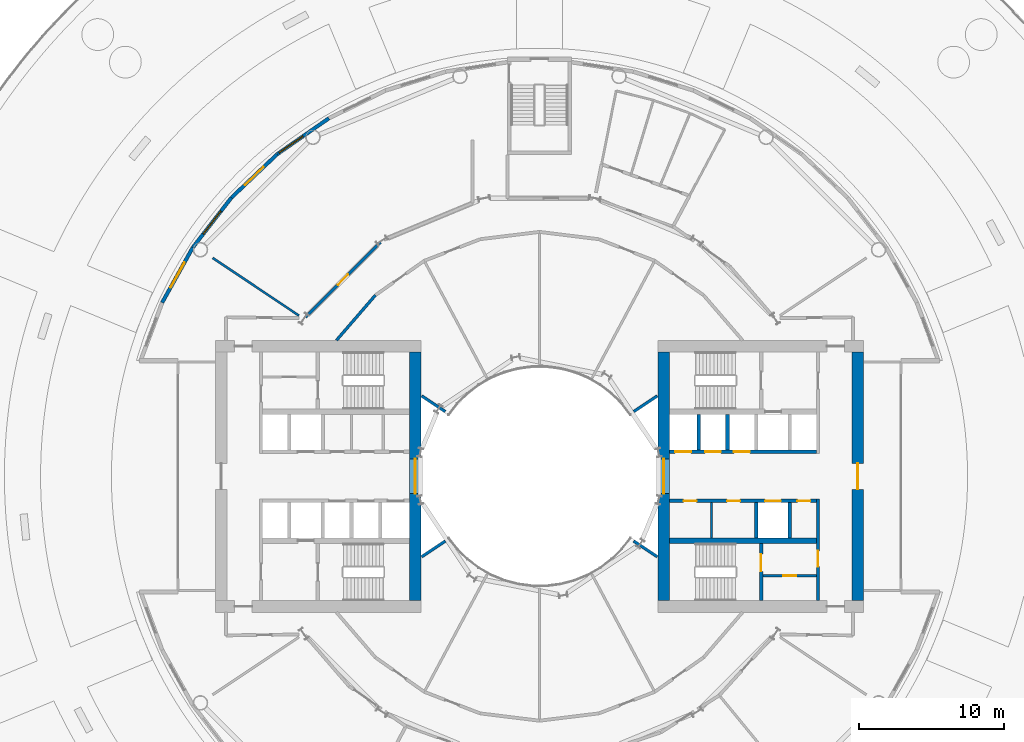
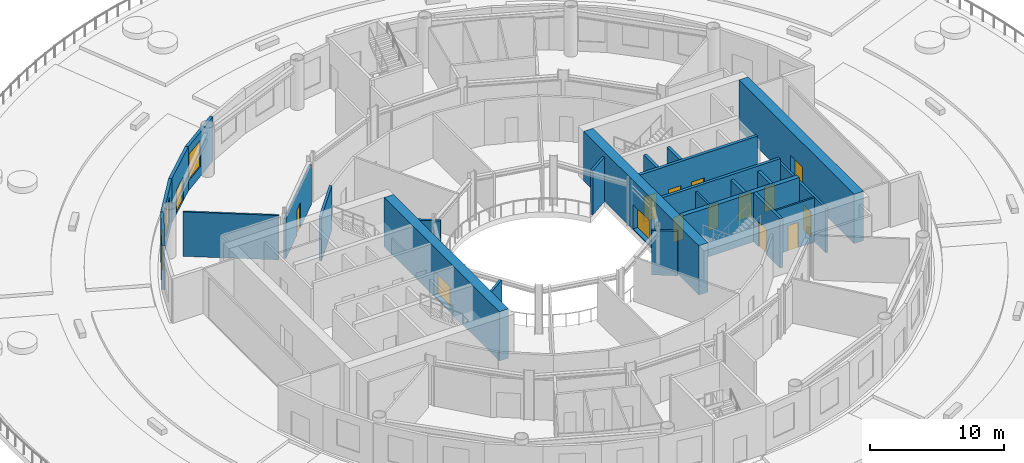
# One storey, part 13 of 19: 25 walls, 13 doors, 5 windows, 18 openings.
"""IFC4 building model written with IfcOpenShell, lengths in metres."""

from ifc_helpers import new_model, si_unit, direction, frame, frame_2d, origin, place, context, subcontext, project, spatial, rectangle, extrude, material, layer, layer_set, type_object, element, fill, save


model = new_model("IFC4")

# Units and contexts
model_context = context("Model", 3, precision=1e-05, world=origin(), true_north=direction((0.0, 1.0)))
body_context = subcontext(model_context, "Body", "Model", "MODEL_VIEW")
ifc_project = project(units=[si_unit("LENGTHUNIT", "METRE"), si_unit("AREAUNIT", "SQUARE_METRE"), si_unit("VOLUMEUNIT", "CUBIC_METRE"), si_unit("PLANEANGLEUNIT", "RADIAN"), si_unit("MASSUNIT", "GRAM", prefix="KILO")], contexts=[model_context])

# Site, building, storey
site_placement = place(None, origin())
site = spatial("IfcSite", under=ifc_project, at=site_placement, CompositionType="ELEMENT")
building_placement = place(site_placement, origin())
building = spatial("IfcBuilding", under=site, at=building_placement, Name="Maasbend Ring Residences", CompositionType="ELEMENT")
storey_placement = place(building_placement, frame((0.0, 0.0, 9.60009765625)))
storey = spatial("IfcBuildingStorey", under=building, at=storey_placement, Name="L02", CompositionType="ELEMENT", Elevation=9.60009765625)

# Wall, openings, doors
ifc_material_1 = material(Name="Concrete C70/85", Category="concrete")
ifc_layer_1 = layer(ifc_material_1, 0.25)
ifc_layer_set_1 = layer_set([ifc_layer_1], Name="Concrete C70/85")
wall_type_1 = type_object("IfcWallType", Name="CORE WALL 250 C70/85", PredefinedType="SHEAR", material=ifc_layer_set_1)
wall_1_placement = place(storey_placement, frame((9.0, 1.699951171875, 0.0), z_axis=(0.0, 0.0, 1.0), x_axis=(1.0, 0.0, 0.0)))
wall_1 = element("IfcWall", 1, at=wall_1_placement, inside=storey, type_object=wall_type_1, Name="L02 core E wall SPN", PredefinedType="SHEAR", context=body_context, shape_type="SweptSolid", body=[
    extrude(rectangle(XDim=10.14990234375, YDim=0.25, at=frame_2d((5.074951171875, 0.0))), origin(), (0.0, 0.0, 1.0), 4.5),
])
opening_1_placement = place(wall_1_placement, frame((0.387451171875, 0.0, 0.0)))
opening_1 = element("IfcOpeningElement", 2, at=opening_1_placement, cuts=wall_1, Name="Opening LD-E0201", PredefinedType="OPENING", context=body_context, shape_type="SweptSolid", body=[
    extrude(rectangle(XDim=1.10009765625, YDim=2.300048828125, at=frame_2d((0.550048828125, 1.14990234375))), frame((0.0, 0.135009765625, 0.0), z_axis=(0.0, -1.0, 0.0), x_axis=(1.0, 0.0, 0.0)), (0.0, 0.0, 1.0), 0.27001953125),
])
opening_2_placement = place(wall_1_placement, frame((2.449951171875, 0.0, 0.0)))
opening_2 = element("IfcOpeningElement", 3, at=opening_2_placement, cuts=wall_1, Name="Opening LD-E0202", PredefinedType="OPENING", context=body_context, shape_type="SweptSolid", body=[
    extrude(rectangle(XDim=1.10009765625, YDim=2.300048828125, at=frame_2d((0.550048828125, 1.14990234375))), frame((0.0, 0.135009765625, 0.0), z_axis=(0.0, -1.0, 0.0), x_axis=(1.0, 0.0, 0.0)), (0.0, 0.0, 1.0), 0.27001953125),
])
opening_3_placement = place(wall_1_placement, frame((4.449951171875, 0.0, 0.0)))
opening_3 = element("IfcOpeningElement", 4, at=opening_3_placement, cuts=wall_1, Name="Opening LD-E0203", PredefinedType="OPENING", context=body_context, shape_type="SweptSolid", body=[
    extrude(rectangle(XDim=1.10009765625, YDim=2.300048828125, at=frame_2d((0.550048828125, 1.14990234375))), frame((0.0, 0.135009765625, 0.0), z_axis=(0.0, -1.0, 0.0), x_axis=(1.0, 0.0, 0.0)), (0.0, 0.0, 1.0), 0.27001953125),
])
ifc_material_2 = material(Name="Stainless steel 316", Category="steel")
door_type_1 = type_object("IfcDoorType", Name="LANDING DOOR 1100 X 2300 FD60", OperationType="DOUBLE_DOOR_SLIDING", PredefinedType="DOOR", material=ifc_material_2)
door_1_placement = place(opening_1_placement, origin())
door_1 = element("IfcDoor", 5, at=door_1_placement, inside=storey, type_object=door_type_1, Name="Landing door LR-E1 L02", OperationType="DOUBLE_DOOR_SLIDING", OverallHeight=2.300048828125, OverallWidth=1.10009765625, PredefinedType="DOOR", context=body_context, shape_type="SweptSolid", body=[
    extrude(rectangle(XDim=1.10009765625, YDim=2.300048828125, at=frame_2d((0.550048828125, 1.14990234375))), frame((0.0, 0.02490234375, 0.0), z_axis=(0.0, -1.0, 0.0), x_axis=(1.0, 0.0, 0.0)), (0.0, 0.0, 1.0), 0.050048828125),
])
fill(opening_1, door_1)
door_2_placement = place(opening_2_placement, origin())
door_2 = element("IfcDoor", 6, at=door_2_placement, inside=storey, type_object=door_type_1, Name="Landing door LR-E2 L02", OperationType="DOUBLE_DOOR_SLIDING", OverallHeight=2.300048828125, OverallWidth=1.10009765625, PredefinedType="DOOR", context=body_context, shape_type="SweptSolid", body=[
    extrude(rectangle(XDim=1.10009765625, YDim=2.300048828125, at=frame_2d((0.550048828125, 1.14990234375))), frame((0.0, 0.02490234375, 0.0), z_axis=(0.0, -1.0, 0.0), x_axis=(1.0, 0.0, 0.0)), (0.0, 0.0, 1.0), 0.050048828125),
])
fill(opening_2, door_2)
door_3_placement = place(opening_3_placement, origin())
door_3 = element("IfcDoor", 7, at=door_3_placement, inside=storey, type_object=door_type_1, Name="Landing door LR-E3 L02", OperationType="DOUBLE_DOOR_SLIDING", OverallHeight=2.300048828125, OverallWidth=1.10009765625, PredefinedType="DOOR", context=body_context, shape_type="SweptSolid", body=[
    extrude(rectangle(XDim=1.10009765625, YDim=2.300048828125, at=frame_2d((0.550048828125, 1.14990234375))), frame((0.0, 0.02490234375, 0.0), z_axis=(0.0, -1.0, 0.0), x_axis=(1.0, 0.0, 0.0)), (0.0, 0.0, 1.0), 0.050048828125),
])
fill(opening_3, door_3)

wall_2_placement = place(storey_placement, frame((19.14990234375, -1.699951171875, 0.0), z_axis=(0.0, 0.0, 1.0), x_axis=(-1.0, 0.0, 0.0)))
wall_2 = element("IfcWall", 8, at=wall_2_placement, inside=storey, type_object=wall_type_1, Name="L02 core E wall SPS", PredefinedType="SHEAR", context=body_context, shape_type="SweptSolid", body=[
    extrude(rectangle(XDim=10.14990234375, YDim=0.25, at=frame_2d((5.074951171875, 0.0))), origin(), (0.0, 0.0, 1.0), 4.5),
])
opening_4_placement = place(wall_2_placement, frame((2.449951171875, 0.0, 0.0)))
opening_4 = element("IfcOpeningElement", 9, at=opening_4_placement, cuts=wall_2, Name="Opening LD-E0205", PredefinedType="OPENING", context=body_context, shape_type="SweptSolid", body=[
    extrude(rectangle(XDim=1.10009765625, YDim=2.300048828125, at=frame_2d((0.550048828125, 1.14990234375))), frame((0.0, 0.135009765625, 0.0), z_axis=(0.0, -1.0, 0.0), x_axis=(1.0, 0.0, 0.0)), (0.0, 0.0, 1.0), 0.27001953125),
])
opening_5_placement = place(wall_2_placement, frame((8.28759765625, 0.0, 0.0)))
opening_5 = element("IfcOpeningElement", 10, at=opening_5_placement, cuts=wall_2, Name="Opening D-E0206", PredefinedType="OPENING", context=body_context, shape_type="SweptSolid", body=[
    extrude(rectangle(XDim=0.89990234375, YDim=2.300048828125, at=frame_2d((0.449951171875, 1.14990234375))), frame((0.0, 0.135009765625, 0.0), z_axis=(0.0, -1.0, 0.0), x_axis=(1.0, 0.0, 0.0)), (0.0, 0.0, 1.0), 0.27001953125),
])
opening_6_placement = place(wall_2_placement, frame((5.27490234375, 0.0, 0.0)))
opening_6 = element("IfcOpeningElement", 11, at=opening_6_placement, cuts=wall_2, Name="Opening D-E0207", PredefinedType="OPENING", context=body_context, shape_type="SweptSolid", body=[
    extrude(rectangle(XDim=0.89990234375, YDim=2.300048828125, at=frame_2d((0.449951171875, 1.14990234375))), frame((0.0, 0.135009765625, 0.0), z_axis=(0.0, -1.0, 0.0), x_axis=(1.0, 0.0, 0.0)), (0.0, 0.0, 1.0), 0.27001953125),
])
opening_7_placement = place(wall_2_placement, frame((0.41259765625, 0.0, 0.0)))
opening_7 = element("IfcOpeningElement", 12, at=opening_7_placement, cuts=wall_2, Name="Opening D-E0208", PredefinedType="OPENING", context=body_context, shape_type="SweptSolid", body=[
    extrude(rectangle(XDim=0.89990234375, YDim=2.300048828125, at=frame_2d((0.449951171875, 1.14990234375))), frame((0.0, 0.135009765625, 0.0), z_axis=(0.0, -1.0, 0.0), x_axis=(1.0, 0.0, 0.0)), (0.0, 0.0, 1.0), 0.27001953125),
])
door_4_placement = place(opening_4_placement, origin())
door_4 = element("IfcDoor", 13, at=door_4_placement, inside=storey, type_object=door_type_1, Name="Landing door SV-E L02", OperationType="DOUBLE_DOOR_SLIDING", OverallHeight=2.300048828125, OverallWidth=1.10009765625, PredefinedType="DOOR", context=body_context, shape_type="SweptSolid", body=[
    extrude(rectangle(XDim=1.10009765625, YDim=2.300048828125, at=frame_2d((0.550048828125, 1.14990234375))), frame((0.0, 0.02490234375, 0.0), z_axis=(0.0, -1.0, 0.0), x_axis=(1.0, 0.0, 0.0)), (0.0, 0.0, 1.0), 0.050048828125),
])
fill(opening_4, door_4)
ifc_material_3 = material(Name="Steel, powder coated", Category="steel")
door_type_2 = type_object("IfcDoorType", Name="ROOM DOOR 900 X 2300 FD30S", OperationType="NOTDEFINED", PredefinedType="DOOR", material=ifc_material_3)
door_5_placement = place(opening_5_placement, origin())
door_5 = element("IfcDoor", 14, at=door_5_placement, inside=storey, type_object=door_type_2, Name="Room door L02", OperationType="SINGLE_SWING_LEFT", OverallHeight=2.300048828125, OverallWidth=0.89990234375, PredefinedType="DOOR", context=body_context, shape_type="SweptSolid", body=[
    extrude(rectangle(XDim=0.89990234375, YDim=2.300048828125, at=frame_2d((0.449951171875, 1.14990234375))), frame((0.0, 0.02490234375, 0.0), z_axis=(0.0, -1.0, 0.0), x_axis=(1.0, 0.0, 0.0)), (0.0, 0.0, 1.0), 0.050048828125),
])
fill(opening_5, door_5)
door_6_placement = place(opening_6_placement, origin())
door_6 = element("IfcDoor", 15, at=door_6_placement, inside=storey, type_object=door_type_2, Name="Room door L02", OperationType="SINGLE_SWING_LEFT", OverallHeight=2.300048828125, OverallWidth=0.89990234375, PredefinedType="DOOR", context=body_context, shape_type="SweptSolid", body=[
    extrude(rectangle(XDim=0.89990234375, YDim=2.300048828125, at=frame_2d((0.449951171875, 1.14990234375))), frame((0.0, 0.02490234375, 0.0), z_axis=(0.0, -1.0, 0.0), x_axis=(1.0, 0.0, 0.0)), (0.0, 0.0, 1.0), 0.050048828125),
])
fill(opening_6, door_6)
door_7_placement = place(opening_7_placement, origin())
door_7 = element("IfcDoor", 16, at=door_7_placement, inside=storey, type_object=door_type_2, Name="Room door L02", OperationType="SINGLE_SWING_RIGHT", OverallHeight=2.300048828125, OverallWidth=0.89990234375, PredefinedType="DOOR", context=body_context, shape_type="SweptSolid", body=[
    extrude(rectangle(XDim=0.89990234375, YDim=2.300048828125, at=frame_2d((0.449951171875, 1.14990234375))), frame((0.0, 0.02490234375, 0.0), z_axis=(0.0, -1.0, 0.0), x_axis=(1.0, 0.0, 0.0)), (0.0, 0.0, 1.0), 0.050048828125),
])
fill(opening_7, door_7)

# Wall, opening, door
wall_3_placement = place(storey_placement, frame((15.324951171875, -8.60009765625, 0.0), z_axis=(0.0, 0.0, 1.0), x_axis=(0.0, 1.0, 0.0)))
wall_3 = element("IfcWall", 17, at=wall_3_placement, inside=storey, type_object=wall_type_1, Name="L02 core E wall STES", PredefinedType="SHEAR", context=body_context, shape_type="SweptSolid", body=[
    extrude(rectangle(XDim=3.9501953125, YDim=0.25, at=frame_2d((1.97509765625, 0.0))), origin(), (0.0, 0.0, 1.0), 4.5),
])
opening_8_placement = place(wall_3_placement, frame((2.02490234375, 0.0, 0.0)))
opening_8 = element("IfcOpeningElement", 18, at=opening_8_placement, cuts=wall_3, Name="Opening D-E0211", PredefinedType="OPENING", context=body_context, shape_type="SweptSolid", body=[
    extrude(rectangle(XDim=1.199951171875, YDim=2.300048828125, at=frame_2d((0.60009765625, 1.14990234375))), frame((0.0, 0.135009765625, 0.0), z_axis=(0.0, -1.0, 0.0), x_axis=(1.0, 0.0, 0.0)), (0.0, 0.0, 1.0), 0.27001953125),
])
ifc_material_4 = material(Name="Steel, powder coated", Category="steel")
door_type_3 = type_object("IfcDoorType", Name="STAIR DOOR 1200 X 2300 FD60", OperationType="NOTDEFINED", PredefinedType="DOOR", material=ifc_material_4)
door_8_placement = place(opening_8_placement, origin())
door_8 = element("IfcDoor", 19, at=door_8_placement, inside=storey, type_object=door_type_3, Name="Stair door ST-E L02", OperationType="SINGLE_SWING_LEFT", OverallHeight=2.300048828125, OverallWidth=1.199951171875, PredefinedType="DOOR", context=body_context, shape_type="SweptSolid", body=[
    extrude(rectangle(XDim=1.199951171875, YDim=2.300048828125, at=frame_2d((0.60009765625, 1.14990234375))), frame((0.0, 0.02490234375, 0.0), z_axis=(0.0, -1.0, 0.0), x_axis=(1.0, 0.0, 0.0)), (0.0, 0.0, 1.0), 0.050048828125),
])
fill(opening_8, door_8)

# Wall
ifc_material_5 = material(Name="Concrete C70/85", Category="concrete")
ifc_layer_2 = layer(ifc_material_5, 0.375)
ifc_layer_set_2 = layer_set([ifc_layer_2], Name="Concrete C70/85")
wall_type_2 = type_object("IfcWallType", Name="CORE WALL 375 C70/85", PredefinedType="SHEAR", material=ifc_layer_set_2)
wall_4_placement = place(storey_placement, frame((9.0, -4.46240234375, 0.0), z_axis=(0.0, 0.0, 1.0), x_axis=(1.0, 0.0, 0.0)))
element("IfcWall", 20, at=wall_4_placement, inside=storey, type_object=wall_type_2, Name="L02 core E wall BS", PredefinedType="SHEAR", context=body_context, shape_type="SweptSolid", body=[
    extrude(rectangle(XDim=10.14990234375, YDim=0.375, at=frame_2d((5.074951171875, 0.0))), origin(), (0.0, 0.0, 1.0), 4.5),
])

# Wall, opening, door
ifc_material_6 = material(Name="Concrete C70/85", Category="concrete")
ifc_layer_3 = layer(ifc_material_6, 0.800048828125)
ifc_layer_set_3 = layer_set([ifc_layer_3], Name="Concrete C70/85")
wall_type_3 = type_object("IfcWallType", Name="CORE WALL 800 C70/85", PredefinedType="SHEAR", material=ifc_layer_set_3)
wall_5_placement = place(storey_placement, frame((22.0, 8.60009765625, 0.0), z_axis=(0.0, 0.0, 1.0), x_axis=(0.0, -1.0, 0.0)))
wall_5 = element("IfcWall", 21, at=wall_5_placement, inside=storey, type_object=wall_type_3, Name="L02 core E wall POUT", PredefinedType="SHEAR", context=body_context, shape_type="SweptSolid", body=[
    extrude(rectangle(XDim=17.2001953125, YDim=0.800048828125, at=frame_2d((8.60009765625, 0.0))), origin(), (0.0, 0.0, 1.0), 4.5),
])
opening_9_placement = place(wall_5_placement, frame((7.699951171875, 0.0, 0.0)))
opening_9 = element("IfcOpeningElement", 22, at=opening_9_placement, cuts=wall_5, Name="Opening D-E0216", PredefinedType="OPENING", context=body_context, shape_type="SweptSolid", body=[
    extrude(rectangle(XDim=1.800048828125, YDim=2.300048828125, at=frame_2d((0.89990234375, 1.14990234375))), frame((0.0, 0.41015625, 0.0), z_axis=(0.0, -1.0, 0.0), x_axis=(1.0, 0.0, 0.0)), (0.0, 0.0, 1.0), 0.820068359375),
])
ifc_material_7 = material(Name="Aluminium frame, clear glass", Category="aluminium")
door_type_4 = type_object("IfcDoorType", Name="ENTRANCE DOOR 1800 X 2300 FD60", OperationType="NOTDEFINED", PredefinedType="DOOR", material=ifc_material_7)
door_9_placement = place(opening_9_placement, origin())
door_9 = element("IfcDoor", 23, at=door_9_placement, inside=storey, type_object=door_type_4, Name="Lobby glazed door L02", OperationType="SINGLE_SWING_LEFT", OverallHeight=2.300048828125, OverallWidth=1.800048828125, PredefinedType="DOOR", context=body_context, shape_type="SweptSolid", body=[
    extrude(rectangle(XDim=1.800048828125, YDim=2.300048828125, at=frame_2d((0.89990234375, 1.14990234375))), frame((0.0, 0.02490234375, 0.0), z_axis=(0.0, -1.0, 0.0), x_axis=(1.0, 0.0, 0.0)), (0.0, 0.0, 1.0), 0.050048828125),
])
fill(opening_9, door_9)

# Wall, opening, window
wall_6_placement = place(storey_placement, frame((8.60009765625, -8.60009765625, 0.0), z_axis=(0.0, 0.0, 1.0), x_axis=(0.0, 1.0, 0.0)))
wall_6 = element("IfcWall", 24, at=wall_6_placement, inside=storey, type_object=wall_type_3, Name="L02 core E wall PIN", PredefinedType="SHEAR", context=body_context, shape_type="SweptSolid", body=[
    extrude(rectangle(XDim=17.2001953125, YDim=0.800048828125, at=frame_2d((8.60009765625, 0.0))), origin(), (0.0, 0.0, 1.0), 4.5),
])
opening_10_placement = place(wall_6_placement, frame((7.39990234375, 0.0, 0.10009765625)))
opening_10 = element("IfcOpeningElement", 25, at=opening_10_placement, cuts=wall_6, Name="Opening W-E0201", PredefinedType="OPENING", context=body_context, shape_type="SweptSolid", body=[
    extrude(rectangle(XDim=2.39990234375, YDim=2.199951171875, at=frame_2d((1.199951171875, 1.10009765625))), frame((0.0, 0.41015625, 0.0), z_axis=(0.0, -1.0, 0.0), x_axis=(1.0, 0.0, 0.0)), (0.0, 0.0, 1.0), 0.820068359375),
])
ifc_material_8 = material(Name="Aluminium frame and clear glass", Category="aluminium")
window_type_1 = type_object("IfcWindowType", Name="FIXED WINDOW 2400 X 2200", PartitioningType="SINGLE_PANEL", PredefinedType="WINDOW", material=ifc_material_8)
window_1_placement = place(opening_10_placement, origin())
window_1 = element("IfcWindow", 26, at=window_1_placement, inside=storey, type_object=window_type_1, Name="Lobby window L02", OverallHeight=2.199951171875, OverallWidth=2.39990234375, PartitioningType="SINGLE_PANEL", PredefinedType="WINDOW", context=body_context, shape_type="SweptSolid", body=[
    extrude(rectangle(XDim=2.39990234375, YDim=2.199951171875, at=frame_2d((1.199951171875, 1.10009765625))), frame((0.0, 0.030029296875, 0.0), z_axis=(0.0, -1.0, 0.0), x_axis=(1.0, 0.0, 0.0)), (0.0, 0.0, 1.0), 0.06005859375),
])
fill(opening_10, window_1)

wall_7_placement = place(storey_placement, frame((-8.60009765625, 8.60009765625, 0.0), z_axis=(0.0, 0.0, 1.0), x_axis=(0.0, -1.0, 0.0)))
wall_7 = element("IfcWall", 27, at=wall_7_placement, inside=storey, type_object=wall_type_3, Name="L02 core W wall PIN", PredefinedType="SHEAR", context=body_context, shape_type="SweptSolid", body=[
    extrude(rectangle(XDim=17.2001953125, YDim=0.800048828125, at=frame_2d((8.60009765625, 0.0))), origin(), (0.0, 0.0, 1.0), 4.5),
])
opening_11_placement = place(wall_7_placement, frame((7.39990234375, 0.0, 0.10009765625)))
opening_11 = element("IfcOpeningElement", 28, at=opening_11_placement, cuts=wall_7, Name="Opening W-W0201", PredefinedType="OPENING", context=body_context, shape_type="SweptSolid", body=[
    extrude(rectangle(XDim=2.39990234375, YDim=2.199951171875, at=frame_2d((1.199951171875, 1.10009765625))), frame((0.0, 0.41015625, 0.0), z_axis=(0.0, -1.0, 0.0), x_axis=(1.0, 0.0, 0.0)), (0.0, 0.0, 1.0), 0.820068359375),
])
window_2_placement = place(opening_11_placement, origin())
window_2 = element("IfcWindow", 29, at=window_2_placement, inside=storey, type_object=window_type_1, Name="Lobby window L02", OverallHeight=2.199951171875, OverallWidth=2.39990234375, PartitioningType="SINGLE_PANEL", PredefinedType="WINDOW", context=body_context, shape_type="SweptSolid", body=[
    extrude(rectangle(XDim=2.39990234375, YDim=2.199951171875, at=frame_2d((1.199951171875, 1.10009765625))), frame((0.0, 0.030029296875, 0.0), z_axis=(0.0, -1.0, 0.0), x_axis=(1.0, 0.0, 0.0)), (0.0, 0.0, 1.0), 0.06005859375),
])
fill(opening_11, window_2)

# Wall
ifc_material_9 = material(Name="Concrete C30/37", Category="concrete")
ifc_layer_4 = layer(ifc_material_9, 0.199951171875)
ifc_layer_set_4 = layer_set([ifc_layer_4], Name="Concrete C30/37")
wall_type_4 = type_object("IfcWallType", Name="CORRIDOR WALL 200 CONCRETE", PredefinedType="PARTITIONING", material=ifc_layer_set_4)
wall_8_placement = place(storey_placement, frame((-14.04296875, 9.39990234375, 0.0), z_axis=(0.0, 0.0, 1.0), x_axis=(0.653274518104, 0.757121129012, 0.0)))
element("IfcWall", 30, at=wall_8_placement, inside=storey, type_object=wall_type_4, Name="U-L02-w056", PredefinedType="PARTITIONING", context=body_context, shape_type="SweptSolid", body=[
    extrude(rectangle(XDim=4.12353515625, YDim=0.199951171875, at=frame_2d((2.061767578125, 0.0))), origin(), (0.0, 0.0, 1.0), 4.0498046875),
])

# Wall, opening, door
wall_9_placement = place(storey_placement, frame((-16.18798828125, 10.998046875, 0.0), z_axis=(0.0, 0.0, 1.0), x_axis=(0.707106781187, 0.707106781187, 0.0)))
wall_9 = element("IfcWall", 31, at=wall_9_placement, inside=storey, type_object=wall_type_4, Name="U-L02-w064", PredefinedType="PARTITIONING", context=body_context, shape_type="SweptSolid", body=[
    extrude(rectangle(XDim=7.339599609375, YDim=0.199951171875, at=frame_2d((3.669921875, 0.0))), origin(), (0.0, 0.0, 1.0), 3.6298828125),
])
opening_12_placement = place(wall_9_placement, frame((3.169921875, 0.0, 0.0)))
opening_12 = element("IfcOpeningElement", 32, at=opening_12_placement, cuts=wall_9, Name="Opening D-0211", PredefinedType="OPENING", context=body_context, shape_type="SweptSolid", body=[
    extrude(rectangle(XDim=1.0, YDim=2.300048828125, at=frame_2d((0.5, 1.14990234375))), frame((0.0, 0.10986328125, 0.0), z_axis=(0.0, -1.0, 0.0), x_axis=(1.0, 0.0, 0.0)), (0.0, 0.0, 1.0), 0.219970703125),
])
ifc_material_10 = material(Name="Timber, painted", Category="wood")
door_type_5 = type_object("IfcDoorType", Name="ROOM DOOR 1000 X 2300", OperationType="NOTDEFINED", PredefinedType="DOOR", material=ifc_material_10)
door_10_placement = place(opening_12_placement, origin())
door_10 = element("IfcDoor", 33, at=door_10_placement, inside=storey, type_object=door_type_5, Name="D-0211", OperationType="SINGLE_SWING_RIGHT", OverallHeight=2.300048828125, OverallWidth=1.0, PredefinedType="DOOR", context=body_context, shape_type="SweptSolid", body=[
    extrude(rectangle(XDim=1.0, YDim=2.300048828125, at=frame_2d((0.5, 1.14990234375))), frame((0.0, 0.02490234375, 0.0), z_axis=(0.0, -1.0, 0.0), x_axis=(1.0, 0.0, 0.0)), (0.0, 0.0, 1.0), 0.050048828125),
])
fill(opening_12, door_10)

# Wall, opening, window
ifc_material_11 = material(Name="Aluminium clad insulated panel", Category="aluminium")
ifc_layer_5 = layer(ifc_material_11, 0.25)
ifc_layer_set_5 = layer_set([ifc_layer_5], Name="EW-GL")
wall_type_5 = type_object("IfcWallType", Name="EW-GL", PredefinedType="SOLIDWALL", material=ifc_layer_set_5)
wall_10_placement = place(storey_placement, frame((-14.56396484375, 24.759033203125, 0.0), z_axis=(0.0, 0.0, 1.0), x_axis=(-0.820990800869, -0.57094141984, 0.0)))
wall_10 = element("IfcWall", 34, at=wall_10_placement, inside=storey, type_object=wall_type_5, Name="Community floor wall 13", PredefinedType="SOLIDWALL", context=body_context, shape_type="SweptSolid", body=[
    extrude(rectangle(XDim=4.359375, YDim=0.25, at=frame_2d((2.1796875, 0.0))), origin(), (0.0, 0.0, 1.0), 4.0498046875),
])
opening_13_placement = place(wall_10_placement, frame((2.1826171875, 0.0, 0.89990234375)))
opening_13 = element("IfcOpeningElement", 35, at=opening_13_placement, cuts=wall_10, Name="Opening W-BD", PredefinedType="OPENING", context=body_context, shape_type="SweptSolid", body=[
    extrude(rectangle(XDim=2.0, YDim=2.39990234375, at=frame_2d((1.0, 1.199951171875))), frame((0.0, 0.135009765625, 0.0), z_axis=(0.0, -1.0, 0.0), x_axis=(1.0, 0.0, 0.0)), (0.0, 0.0, 1.0), 0.27001953125),
])
ifc_material_12 = material(Name="Aluminium and clear glass", Category="aluminium")
window_type_2 = type_object("IfcWindowType", Name="W-BD", PartitioningType="DOUBLE_PANEL_VERTICAL", PredefinedType="WINDOW", material=ifc_material_12)
window_3_placement = place(opening_13_placement, origin())
window_3 = element("IfcWindow", 36, at=window_3_placement, inside=storey, type_object=window_type_2, Name="Community floor window 13", OverallHeight=2.39990234375, OverallWidth=2.0, PartitioningType="SINGLE_PANEL", PredefinedType="WINDOW", context=body_context, shape_type="SweptSolid", body=[
    extrude(rectangle(XDim=2.0, YDim=2.39990234375, at=frame_2d((1.0, 1.199951171875))), frame((0.0, 0.030029296875, 0.0), z_axis=(0.0, -1.0, 0.0), x_axis=(1.0, 0.0, 0.0)), (0.0, 0.0, 1.0), 0.06005859375),
])
fill(opening_13, window_3)

# Wall, opening, door
wall_11_placement = place(storey_placement, frame((-18.14306640625, 22.27001953125, 0.0), z_axis=(0.0, 0.0, 1.0), x_axis=(-0.725101501119, -0.68864200647, 0.0)))
wall_11 = element("IfcWall", 37, at=wall_11_placement, inside=storey, type_object=wall_type_5, Name="Community floor wall 14", PredefinedType="SOLIDWALL", context=body_context, shape_type="SweptSolid", body=[
    extrude(rectangle(XDim=4.359130859375, YDim=0.25, at=frame_2d((2.1796875, 0.0))), origin(), (0.0, 0.0, 1.0), 4.0498046875),
])
opening_14_placement = place(wall_11_placement, frame((1.27978515625, 0.0, 0.0)))
opening_14 = element("IfcOpeningElement", 38, at=opening_14_placement, cuts=wall_11, Name="Opening D-DK", PredefinedType="OPENING", context=body_context, shape_type="SweptSolid", body=[
    extrude(rectangle(XDim=1.800048828125, YDim=2.199951171875, at=frame_2d((0.89990234375, 1.10009765625))), frame((0.0, 0.135009765625, 0.0), z_axis=(0.0, -1.0, 0.0), x_axis=(1.0, 0.0, 0.0)), (0.0, 0.0, 1.0), 0.27001953125),
])
ifc_material_13 = material(Name="Aluminium and clear glass", Category="aluminium")
door_type_6 = type_object("IfcDoorType", Name="D-DK", OperationType="DOUBLE_DOOR_SINGLE_SWING", PredefinedType="DOOR", material=ifc_material_13)
door_11_placement = place(opening_14_placement, origin())
door_11 = element("IfcDoor", 39, at=door_11_placement, inside=storey, type_object=door_type_6, Name="Deck door 14", OperationType="SINGLE_SWING_LEFT", OverallHeight=2.199951171875, OverallWidth=1.800048828125, PredefinedType="DOOR", context=body_context, shape_type="SweptSolid", body=[
    extrude(rectangle(XDim=1.800048828125, YDim=2.199951171875, at=frame_2d((0.89990234375, 1.10009765625))), frame((0.0, 0.02490234375, 0.0), z_axis=(0.0, -1.0, 0.0), x_axis=(1.0, 0.0, 0.0)), (0.0, 0.0, 1.0), 0.050048828125),
])
fill(opening_14, door_11)

# Wall, opening, window
wall_12_placement = place(storey_placement, frame((-21.303955078125, 19.26806640625, 0.0), z_axis=(0.0, 0.0, 1.0), x_axis=(-0.612637256412, -0.790364214812, 0.0)))
wall_12 = element("IfcWall", 40, at=wall_12_placement, inside=storey, type_object=wall_type_5, Name="Community floor wall 15", PredefinedType="SOLIDWALL", context=body_context, shape_type="SweptSolid", body=[
    extrude(rectangle(XDim=4.360107421875, YDim=0.25, at=frame_2d((2.18017578125, 0.0))), origin(), (0.0, 0.0, 1.0), 4.0498046875),
])
opening_15_placement = place(wall_12_placement, frame((1.179931640625, 0.0, 0.89990234375)))
opening_15 = element("IfcOpeningElement", 41, at=opening_15_placement, cuts=wall_12, Name="Opening W-BD", PredefinedType="OPENING", context=body_context, shape_type="SweptSolid", body=[
    extrude(rectangle(XDim=2.0, YDim=2.39990234375, at=frame_2d((1.0, 1.199951171875))), frame((0.0, 0.135009765625, 0.0), z_axis=(0.0, -1.0, 0.0), x_axis=(1.0, 0.0, 0.0)), (0.0, 0.0, 1.0), 0.27001953125),
])
window_4_placement = place(opening_15_placement, origin())
window_4 = element("IfcWindow", 42, at=window_4_placement, inside=storey, type_object=window_type_2, Name="Community floor window 15", OverallHeight=2.39990234375, OverallWidth=2.0, PartitioningType="SINGLE_PANEL", PredefinedType="WINDOW", context=body_context, shape_type="SweptSolid", body=[
    extrude(rectangle(XDim=2.0, YDim=2.39990234375, at=frame_2d((1.0, 1.199951171875))), frame((0.0, 0.030029296875, 0.0), z_axis=(0.0, -1.0, 0.0), x_axis=(1.0, 0.0, 0.0)), (0.0, 0.0, 1.0), 0.06005859375),
])
fill(opening_15, window_4)

wall_13_placement = place(storey_placement, frame((-23.97509765625, 15.822021484375, 0.0), z_axis=(0.0, 0.0, 1.0), x_axis=(-0.485761785263, -0.8740912355, 0.0)))
wall_13 = element("IfcWall", 43, at=wall_13_placement, inside=storey, type_object=wall_type_5, Name="Community floor wall 16", PredefinedType="SOLIDWALL", context=body_context, shape_type="SweptSolid", body=[
    extrude(rectangle(XDim=4.360107421875, YDim=0.25, at=frame_2d((2.18017578125, 0.0))), origin(), (0.0, 0.0, 1.0), 4.0498046875),
])
opening_16_placement = place(wall_13_placement, frame((1.179931640625, 0.0, 0.89990234375)))
opening_16 = element("IfcOpeningElement", 44, at=opening_16_placement, cuts=wall_13, Name="Opening W-BD", PredefinedType="OPENING", context=body_context, shape_type="SweptSolid", body=[
    extrude(rectangle(XDim=2.0, YDim=2.39990234375, at=frame_2d((1.0, 1.199951171875))), frame((0.0, 0.135009765625, 0.0), z_axis=(0.0, -1.0, 0.0), x_axis=(1.0, 0.0, 0.0)), (0.0, 0.0, 1.0), 0.27001953125),
])
window_5_placement = place(opening_16_placement, origin())
window_5 = element("IfcWindow", 45, at=window_5_placement, inside=storey, type_object=window_type_2, Name="Community floor window 16", OverallHeight=2.39990234375, OverallWidth=2.0, PartitioningType="SINGLE_PANEL", PredefinedType="WINDOW", context=body_context, shape_type="SweptSolid", body=[
    extrude(rectangle(XDim=2.0, YDim=2.39990234375, at=frame_2d((1.0, 1.199951171875))), frame((0.0, 0.030029296875, 0.0), z_axis=(0.0, -1.0, 0.0), x_axis=(1.0, 0.0, 0.0)), (0.0, 0.0, 1.0), 0.06005859375),
])
fill(opening_16, window_5)

# Wall
ifc_material_14 = material(Name="Gypsum board on steel studs", Category="steel")
ifc_layer_6 = layer(ifc_material_14, 0.14990234375)
ifc_layer_set_6 = layer_set([ifc_layer_6], Name="PARTITION 150 EI 60")
wall_type_6 = type_object("IfcWallType", Name="PARTITION 150 EI 60", PredefinedType="PARTITIONING", material=ifc_layer_set_6)
wall_14_placement = place(storey_placement, frame((11.89990234375, -1.824951171875, 0.0), z_axis=(0.0, 0.0, 1.0), x_axis=(0.0, -1.0, 0.0)))
element("IfcWall", 46, at=wall_14_placement, inside=storey, type_object=wall_type_6, Name="L02 core E wall PRS1190", PredefinedType="PARTITIONING", context=body_context, shape_type="SweptSolid", body=[
    extrude(rectangle(XDim=2.449951171875, YDim=0.14990234375, at=frame_2d((1.22509765625, 0.0))), origin(), (0.0, 0.0, 1.0), 4.0498046875),
])

# Wall, opening, door
wall_15_placement = place(storey_placement, frame((15.449951171875, -6.875, 0.0), z_axis=(0.0, 0.0, 1.0), x_axis=(1.0, 0.0, 0.0)))
wall_15 = element("IfcWall", 47, at=wall_15_placement, inside=storey, type_object=wall_type_6, Name="L02 core E wall RHS", PredefinedType="PARTITIONING", context=body_context, shape_type="SweptSolid", body=[
    extrude(rectangle(XDim=3.699951171875, YDim=0.14990234375, at=frame_2d((1.85009765625, 0.0))), origin(), (0.0, 0.0, 1.0), 4.0498046875),
])
opening_17_placement = place(wall_15_placement, frame((1.39990234375, 0.0, 0.0)))
opening_17 = element("IfcOpeningElement", 48, at=opening_17_placement, cuts=wall_15, Name="Opening D-E0209", PredefinedType="OPENING", context=body_context, shape_type="SweptSolid", body=[
    extrude(rectangle(XDim=0.89990234375, YDim=2.300048828125, at=frame_2d((0.449951171875, 1.14990234375))), frame((0.0, 0.0849609375, 0.0), z_axis=(0.0, -1.0, 0.0), x_axis=(1.0, 0.0, 0.0)), (0.0, 0.0, 1.0), 0.169921875),
])
ifc_material_15 = material(Name="Steel, powder coated", Category="steel")
door_type_7 = type_object("IfcDoorType", Name="RISER DOOR 900 X 2300 FD60", OperationType="NOTDEFINED", PredefinedType="DOOR", material=ifc_material_15)
door_12_placement = place(opening_17_placement, origin())
door_12 = element("IfcDoor", 49, at=door_12_placement, inside=storey, type_object=door_type_7, Name="Riser door L02", OperationType="SINGLE_SWING_LEFT", OverallHeight=2.300048828125, OverallWidth=0.89990234375, PredefinedType="DOOR", context=body_context, shape_type="SweptSolid", body=[
    extrude(rectangle(XDim=0.89990234375, YDim=2.300048828125, at=frame_2d((0.449951171875, 1.14990234375))), frame((0.0, 0.02490234375, 0.0), z_axis=(0.0, -1.0, 0.0), x_axis=(1.0, 0.0, 0.0)), (0.0, 0.0, 1.0), 0.050048828125),
])
fill(opening_17, door_12)

# Walls
ifc_material_16 = material(Name="Gypsum board on steel studs", Category="steel")
ifc_layer_7 = layer(ifc_material_16, 0.14990234375)
ifc_layer_set_7 = layer_set([ifc_layer_7], Name="PARTITION 150 GYPSUM")
wall_type_7 = type_object("IfcWallType", Name="PARTITION 150 GYPSUM", PredefinedType="PARTITIONING", material=ifc_layer_set_7)
wall_16_placement = place(storey_placement, frame((-22.594970703125, 15.097900390625, 0.0), z_axis=(0.0, 0.0, 1.0), x_axis=(0.831431488123, -0.555627285648, 0.0)))
element("IfcWall", 50, at=wall_16_placement, inside=storey, type_object=wall_type_7, Name="U-L02-w027", PredefinedType="PARTITIONING", context=body_context, shape_type="SweptSolid", body=[
    extrude(rectangle(XDim=7.168212890625, YDim=0.14990234375, at=frame_2d((3.583984375, 0.0))), origin(), (0.0, 0.0, 1.0), 4.0498046875),
])
ifc_material_17 = material(Name="Concrete C30/37", Category="concrete")
ifc_layer_8 = layer(ifc_material_17, 0.199951171875)
ifc_layer_set_8 = layer_set([ifc_layer_8], Name="Concrete C30/37")
wall_type_8 = type_object("IfcWallType", Name="PARTY WALL 200 CONCRETE", PredefinedType="PARTITIONING", material=ifc_layer_set_8)
for number, where, z_axis, x_axis, name in (
    (51, (-6.512939453125, -4.471923828125, 0.0), (0.0, 0.0, 1.0), (-0.831417956244, -0.555647533996, 0.0), "U-L02-w025"),
    (52, (6.512939453125, -4.471923828125, 0.0), (0.0, 0.0, 1.0), (0.831417956244, -0.555647533996, 0.0), "U-L02-w026"),
    (53, (-6.512939453125, 4.471923828125, 0.0), (0.0, 0.0, 1.0), (-0.831417956244, 0.555647533996, 0.0), "U-L02-w050"),
    (54, (6.512939453125, 4.471923828125, 0.0), (0.0, 0.0, 1.0), (0.831417956244, 0.555647533996, 0.0), "U-L02-w051"),
):
    element("IfcWall", number, at=place(storey_placement, frame(where, z_axis=z_axis, x_axis=x_axis)), inside=storey, type_object=wall_type_8, Name=name, PredefinedType="PARTITIONING", context=body_context, shape_type="SweptSolid", body=[
        extrude(rectangle(XDim=1.9619140625, YDim=0.199951171875, at=frame_2d((0.98095703125, 0.0))), origin(), (0.0, 0.0, 1.0), 4.0498046875),
    ])

# Wall, opening, door
ifc_material_18 = material(Name="Concrete C30/37", Category="concrete")
ifc_layer_9 = layer(ifc_material_18, 0.199951171875)
ifc_layer_set_9 = layer_set([ifc_layer_9], Name="Concrete C30/37")
wall_type_9 = type_object("IfcWallType", Name="SHAFT WALL 200 EI 120", PredefinedType="SOLIDWALL", material=ifc_layer_set_9)
wall_17_placement = place(storey_placement, frame((19.25, -8.60009765625, 0.0), z_axis=(0.0, 0.0, 1.0), x_axis=(0.0, 1.0, 0.0)))
wall_17 = element("IfcWall", 55, at=wall_17_placement, inside=storey, type_object=wall_type_9, Name="L02 core E wall ENDS", PredefinedType="SOLIDWALL", context=body_context, shape_type="SweptSolid", body=[
    extrude(rectangle(XDim=7.025146484375, YDim=0.199951171875, at=frame_2d((3.5126953125, 0.0))), origin(), (0.0, 0.0, 1.0), 4.0498046875),
])
opening_18_placement = place(wall_17_placement, frame((2.35009765625, 0.0, 0.0)))
opening_18 = element("IfcOpeningElement", 56, at=opening_18_placement, cuts=wall_17, Name="Opening D-E0213", PredefinedType="OPENING", context=body_context, shape_type="SweptSolid", body=[
    extrude(rectangle(XDim=1.10009765625, YDim=2.300048828125, at=frame_2d((0.550048828125, 1.14990234375))), frame((0.0, 0.10986328125, 0.0), z_axis=(0.0, -1.0, 0.0), x_axis=(1.0, 0.0, 0.0)), (0.0, 0.0, 1.0), 0.219970703125),
])
ifc_material_19 = material(Name="Steel, powder coated", Category="steel")
door_type_8 = type_object("IfcDoorType", Name="LOBBY DOOR 1100 X 2300 FD60", OperationType="NOTDEFINED", PredefinedType="DOOR", material=ifc_material_19)
door_13_placement = place(opening_18_placement, origin())
door_13 = element("IfcDoor", 57, at=door_13_placement, inside=storey, type_object=door_type_8, Name="Lobby door L02", OperationType="SINGLE_SWING_RIGHT", OverallHeight=2.300048828125, OverallWidth=1.10009765625, PredefinedType="DOOR", context=body_context, shape_type="SweptSolid", body=[
    extrude(rectangle(XDim=1.10009765625, YDim=2.300048828125, at=frame_2d((0.550048828125, 1.14990234375))), frame((0.0, 0.02490234375, 0.0), z_axis=(0.0, -1.0, 0.0), x_axis=(1.0, 0.0, 0.0)), (0.0, 0.0, 1.0), 0.050048828125),
])
fill(opening_18, door_13)

# Walls
ifc_material_20 = material(Name="Concrete C30/37", Category="concrete")
ifc_layer_10 = layer(ifc_material_20, 0.25)
ifc_layer_set_10 = layer_set([ifc_layer_10], Name="Concrete C30/37")
wall_type_10 = type_object("IfcWallType", Name="SHAFT WALL 250 EI 120", PredefinedType="SOLIDWALL", material=ifc_layer_set_10)
for number, where, z_axis, x_axis, name in (
    (58, (15.0, -1.824951171875, 0.0), (0.0, 0.0, 1.0), (0.0, -1.0, 0.0), "L02 core E wall D150S"),
    (59, (17.300048828125, -1.824951171875, 0.0), (0.0, 0.0, 1.0), (0.0, -1.0, 0.0), "L02 core E wall D173S"),
    (60, (11.0, 1.824951171875, 0.0), (0.0, 0.0, 1.0), (0.0, 1.0, 0.0), "L02 core E wall D110N"),
    (61, (13.0, 1.824951171875, 0.0), (0.0, 0.0, 1.0), (0.0, 1.0, 0.0), "L02 core E wall D130N"),
):
    element("IfcWall", number, at=place(storey_placement, frame(where, z_axis=z_axis, x_axis=x_axis)), inside=storey, type_object=wall_type_10, Name=name, PredefinedType="SOLIDWALL", context=body_context, shape_type="SweptSolid", body=[
        extrude(rectangle(XDim=2.449951171875, YDim=0.25, at=frame_2d((1.22509765625, 0.0))), origin(), (0.0, 0.0, 1.0), 4.0498046875),
    ])

save(model, "model.ifc")
